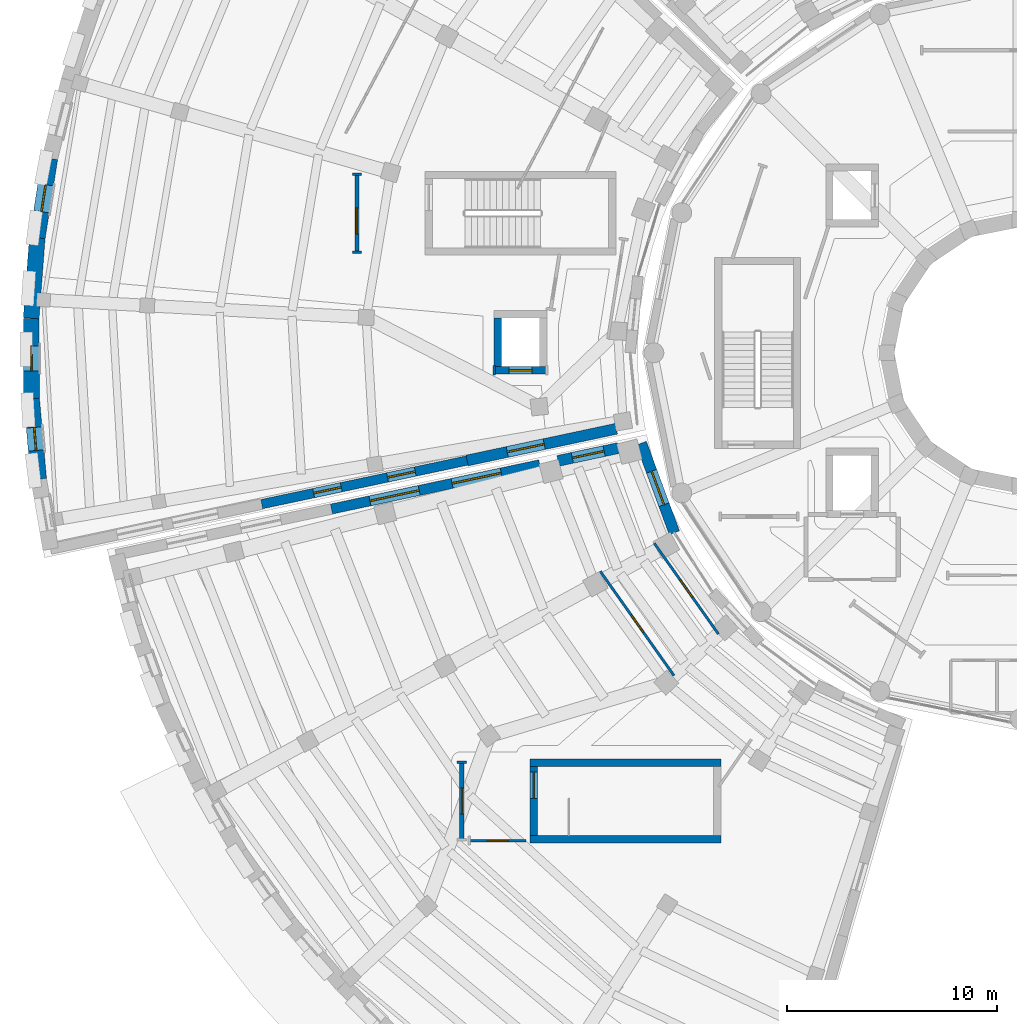
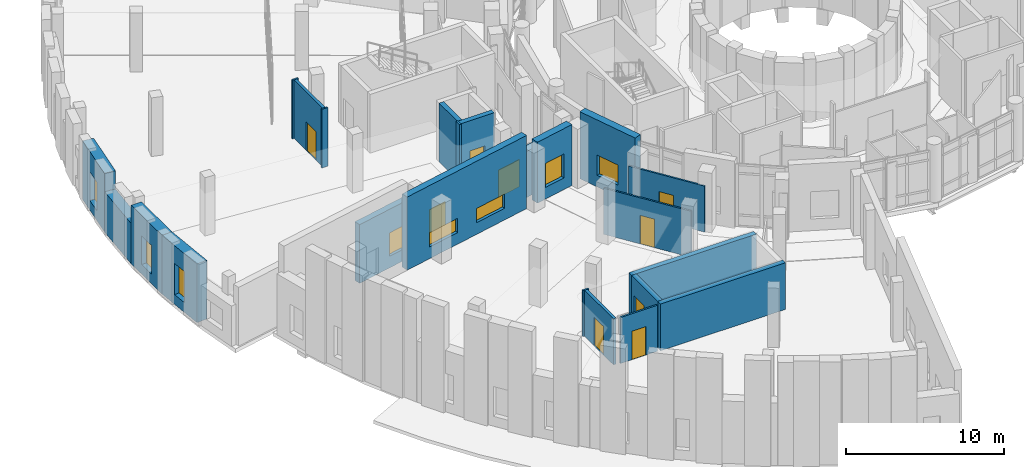
# One storey, part 61 of 89: 23 walls, 10 windows, 7 doors, 17 openings.
"""IFC4 building model written with IfcOpenShell, lengths in metres."""

from ifc_helpers import new_model, si_unit, direction, frame, frame_2d, origin, place, context, subcontext, project, spatial, rectangle, extrude, material, layer, layer_set, type_object, element, fill, save


model = new_model("IFC4")

# Units and contexts
model_context = context("Model", 3, precision=1e-05, world=origin(), true_north=direction((0.0, 1.0)))
body_context = subcontext(model_context, "Body", "Model", "MODEL_VIEW")
ifc_project = project(units=[si_unit("LENGTHUNIT", "METRE"), si_unit("AREAUNIT", "SQUARE_METRE"), si_unit("VOLUMEUNIT", "CUBIC_METRE"), si_unit("PLANEANGLEUNIT", "RADIAN"), si_unit("MASSUNIT", "GRAM", prefix="KILO")], contexts=[model_context])

# Site, building, storey
site_placement = place(None, origin())
site = spatial("IfcSite", under=ifc_project, at=site_placement, CompositionType="ELEMENT")
building_placement = place(site_placement, origin())
building = spatial("IfcBuilding", under=site, at=building_placement, Name="Soyqirgoq Riverine Aquarium", CompositionType="ELEMENT")
storey_placement = place(building_placement, frame((0.0, 0.0, 5.39990234375)))
storey = spatial("IfcBuildingStorey", under=building, at=storey_placement, Name="L02", CompositionType="ELEMENT", Elevation=5.39990234375)

# Walls
ifc_material_1 = material(Name="Concrete C40/50", Category="concrete")
ifc_layer_1 = layer(ifc_material_1, 0.35009765625)
ifc_layer_set_1 = layer_set([ifc_layer_1], Name="Concrete C40/50")
wall_type_1 = type_object("IfcWallType", Name="CoreShearWall_350_C40", PredefinedType="SHEAR", material=ifc_layer_set_1)
for number, where, z_axis, x_axis, name in (
    (1, (32.64990234375, 33.824951171875, 0.0), (0.0, 0.0, 1.0), (1.0, 0.0, 0.0), "CORE-2 L02 Stair Core Shear Wall SIDE1"),
    (2, (41.75, 37.47509765625, 0.0), (0.0, 0.0, 1.0), (-1.0, 0.0, 0.0), "CORE-2 L02 Stair Core Shear Wall SIDE2"),
):
    element("IfcWall", number, at=place(storey_placement, frame(where, z_axis=z_axis, x_axis=x_axis)), inside=storey, type_object=wall_type_1, Name=name, PredefinedType="SHEAR", context=body_context, shape_type="SweptSolid", body=[
        extrude(rectangle(XDim=9.10009765625, YDim=0.35009765625, at=frame_2d((4.550048828125, 0.0))), origin(), (0.0, 0.0, 1.0), 3.60009765625),
    ])

# Wall, opening, door
wall_1_placement = place(storey_placement, frame((32.824951171875, 37.300048828125, 0.0), z_axis=(0.0, 0.0, 1.0), x_axis=(0.0, -1.0, 0.0)))
wall_1 = element("IfcWall", 3, at=wall_1_placement, inside=storey, type_object=wall_type_1, Name="CORE-2 L02 Stair Core Shear Wall FRONT", PredefinedType="SHEAR", context=body_context, shape_type="SweptSolid", body=[
    extrude(rectangle(XDim=3.300048828125, YDim=0.35009765625, at=frame_2d((1.64990234375, 0.0))), origin(), (0.0, 0.0, 1.0), 3.60009765625),
])
opening_1_placement = place(wall_1_placement, frame((0.280029296875, 0.0, 0.0)))
opening_1 = element("IfcOpeningElement", 4, at=opening_1_placement, cuts=wall_1, Name="Opening FD-01", PredefinedType="OPENING", context=body_context, shape_type="SweptSolid", body=[
    extrude(rectangle(XDim=1.25, YDim=2.199951171875, at=frame_2d((0.625, 1.10009765625))), frame((0.0, 0.18505859375, 0.0), z_axis=(0.0, -1.0, 0.0), x_axis=(1.0, 0.0, 0.0)), (0.0, 0.0, 1.0), 0.3701171875),
])
ifc_material_2 = material(Name="Galvanised steel fire-resisting stair door", Category="steel")
door_type_1 = type_object("IfcDoorType", Name="StairFireDoor_1250x2200_EI90", OperationType="NOTDEFINED", PredefinedType="DOOR", material=ifc_material_2)
door_1_placement = place(opening_1_placement, origin())
door_1 = element("IfcDoor", 5, at=door_1_placement, inside=storey, type_object=door_type_1, Name="DR-ST-2-L02 ST-2 L02 Fire-Rated Stairwell Door", OperationType="SINGLE_SWING_LEFT", OverallHeight=2.199951171875, OverallWidth=1.25, PredefinedType="DOOR", context=body_context, shape_type="SweptSolid", body=[
    extrude(rectangle(XDim=1.25, YDim=2.199951171875, at=frame_2d((0.625, 1.10009765625))), frame((0.0, 0.02490234375, 0.0), z_axis=(0.0, -1.0, 0.0), x_axis=(1.0, 0.0, 0.0)), (0.0, 0.0, 1.0), 0.050048828125),
])
fill(opening_1, door_1)

wall_2_placement = place(storey_placement, frame((30.945068359375, 56.169921875, 0.0), z_axis=(0.0, 0.0, 1.0), x_axis=(1.0, 0.0, 0.0)))
wall_2 = element("IfcWall", 6, at=wall_2_placement, inside=storey, type_object=wall_type_1, Name="Lift PL-2 Shaft Wall L02 1", PredefinedType="SHEAR", context=body_context, shape_type="SweptSolid", body=[
    extrude(rectangle(XDim=2.510009765625, YDim=0.35009765625, at=frame_2d((1.2548828125, 0.0))), origin(), (0.0, 0.0, 1.0), 4.52001953125),
])
opening_2_placement = place(wall_2_placement, frame((0.705078125, 0.0, 0.0)))
opening_2 = element("IfcOpeningElement", 7, at=opening_2_placement, cuts=wall_2, Name="Opening LD-01", PredefinedType="OPENING", context=body_context, shape_type="SweptSolid", body=[
    extrude(rectangle(XDim=1.10009765625, YDim=2.199951171875, at=frame_2d((0.550048828125, 1.10009765625))), frame((0.0, 0.18505859375, 0.0), z_axis=(0.0, -1.0, 0.0), x_axis=(1.0, 0.0, 0.0)), (0.0, 0.0, 1.0), 0.3701171875),
])
ifc_material_3 = material(Name="Brushed stainless steel telescopic lift landing door", Category="steel")
door_type_2 = type_object("IfcDoorType", Name="LiftLandingDoor_1100x2200", OperationType="SLIDING_TO_LEFT", PredefinedType="DOOR", material=ifc_material_3)
door_2_placement = place(opening_2_placement, origin())
door_2 = element("IfcDoor", 8, at=door_2_placement, inside=storey, type_object=door_type_2, Name="LD-PL-2-L02 Lift PL-2 L02 Sliding Landing Door", OperationType="SLIDING_TO_LEFT", OverallHeight=2.199951171875, OverallWidth=1.10009765625, PredefinedType="DOOR", context=body_context, shape_type="SweptSolid", body=[
    extrude(rectangle(XDim=1.10009765625, YDim=2.199951171875, at=frame_2d((0.550048828125, 1.10009765625))), frame((0.0, 0.02490234375, 0.0), z_axis=(0.0, -1.0, 0.0), x_axis=(1.0, 0.0, 0.0)), (0.0, 0.0, 1.0), 0.050048828125),
])
fill(opening_2, door_2)

# Wall
wall_3_placement = place(storey_placement, frame((31.1201171875, 58.655029296875, 0.0), z_axis=(0.0, 0.0, 1.0), x_axis=(0.0, -1.0, 0.0)))
element("IfcWall", 9, at=wall_3_placement, inside=storey, type_object=wall_type_1, Name="Lift PL-2 Shaft Wall L02 4", PredefinedType="SHEAR", context=body_context, shape_type="SweptSolid", body=[
    extrude(rectangle(XDim=2.31005859375, YDim=0.35009765625, at=frame_2d((1.155029296875, 0.0))), origin(), (0.0, 0.0, 1.0), 4.52001953125),
])

# Wall, opening, door
ifc_material_4 = material(Name="Lightweight steel-stud gypsum partition", Category="steel")
ifc_layer_2 = layer(ifc_material_4, 0.1201171875)
ifc_layer_set_2 = layer_set([ifc_layer_2], Name="Lightweight steel-stud gypsum partition")
wall_type_2 = type_object("IfcWallType", Name="PartitionWall_120_Std", PredefinedType="PARTITIONING", material=ifc_layer_set_2)
wall_4_placement = place(storey_placement, frame((35.997802734375, 46.587646484375, 0.0), z_axis=(0.0, 0.0, 1.0), x_axis=(0.577152747175, -0.816636214253, 0.0)))
wall_4 = element("IfcWall", 10, at=wall_4_placement, inside=storey, type_object=wall_type_2, Name="V2 Gallery Circulation Corridor Partition Wall", PredefinedType="PARTITIONING", context=body_context, shape_type="SweptSolid", body=[
    extrude(rectangle(XDim=6.08203125, YDim=0.1201171875, at=frame_2d((3.041015625, 0.0))), origin(), (0.0, 0.0, 1.0), 3.550048828125),
])
opening_3_placement = place(wall_4_placement, frame((2.541015625, 0.0, 0.0)))
opening_3 = element("IfcOpeningElement", 11, at=opening_3_placement, cuts=wall_4, Name="Opening ID-03", PredefinedType="OPENING", context=body_context, shape_type="SweptSolid", body=[
    extrude(rectangle(XDim=1.0, YDim=2.199951171875, at=frame_2d((0.5, 1.10009765625))), frame((0.0, 0.070068359375, 0.0), z_axis=(0.0, -1.0, 0.0), x_axis=(1.0, 0.0, 0.0)), (0.0, 0.0, 1.0), 0.14013671875),
])
ifc_material_5 = material(Name="Solid-core ash veneer room door", Category="wood")
door_type_3 = type_object("IfcDoorType", Name="RoomDoor_1000x2200", OperationType="NOTDEFINED", PredefinedType="DOOR", material=ifc_material_5)
door_3_placement = place(opening_3_placement, origin())
door_3 = element("IfcDoor", 12, at=door_3_placement, inside=storey, type_object=door_type_3, Name="IDR-V2-L02-0085 V2 Gallery Circulation Corridor Door", OperationType="SINGLE_SWING_RIGHT", OverallHeight=2.199951171875, OverallWidth=1.0, PredefinedType="DOOR", context=body_context, shape_type="SweptSolid", body=[
    extrude(rectangle(XDim=1.0, YDim=2.199951171875, at=frame_2d((0.5, 1.10009765625))), frame((0.0, 0.02490234375, 0.0), z_axis=(0.0, -1.0, 0.0), x_axis=(1.0, 0.0, 0.0)), (0.0, 0.0, 1.0), 0.050048828125),
])
fill(opening_3, door_3)

wall_5_placement = place(storey_placement, frame((41.62890625, 43.5986328125, 0.0), z_axis=(0.0, 0.0, 1.0), x_axis=(-0.577138892994, 0.816646005436, 0.0)))
wall_5 = element("IfcWall", 13, at=wall_5_placement, inside=storey, type_object=wall_type_2, Name="V2 Gallery Circulation Corridor Partition Wall", PredefinedType="PARTITIONING", context=body_context, shape_type="SweptSolid", body=[
    extrude(rectangle(XDim=5.299560546875, YDim=0.1201171875, at=frame_2d((2.64990234375, 0.0))), origin(), (0.0, 0.0, 1.0), 3.550048828125),
])
opening_4_placement = place(wall_5_placement, frame((2.14990234375, 0.0, 0.0)))
opening_4 = element("IfcOpeningElement", 14, at=opening_4_placement, cuts=wall_5, Name="Opening ID-03", PredefinedType="OPENING", context=body_context, shape_type="SweptSolid", body=[
    extrude(rectangle(XDim=1.0, YDim=2.199951171875, at=frame_2d((0.5, 1.10009765625))), frame((0.0, 0.070068359375, 0.0), z_axis=(0.0, -1.0, 0.0), x_axis=(1.0, 0.0, 0.0)), (0.0, 0.0, 1.0), 0.14013671875),
])
door_4_placement = place(opening_4_placement, origin())
door_4 = element("IfcDoor", 15, at=door_4_placement, inside=storey, type_object=door_type_3, Name="IDR-V2-L02-0086 Mountain Stream Exhibit Room Door", OperationType="SINGLE_SWING_LEFT", OverallHeight=2.199951171875, OverallWidth=1.0, PredefinedType="DOOR", context=body_context, shape_type="SweptSolid", body=[
    extrude(rectangle(XDim=1.0, YDim=2.199951171875, at=frame_2d((0.5, 1.10009765625))), frame((0.0, 0.02490234375, 0.0), z_axis=(0.0, -1.0, 0.0), x_axis=(1.0, 0.0, 0.0)), (0.0, 0.0, 1.0), 0.050048828125),
])
fill(opening_4, door_4)

wall_6_placement = place(storey_placement, frame((32.449951171875, 33.760009765625, 0.0), z_axis=(0.0, 0.0, 1.0), x_axis=(-1.0, 0.0, 0.0)))
wall_6 = element("IfcWall", 16, at=wall_6_placement, inside=storey, type_object=wall_type_2, Name="Visitor Lounge Overlook Partition Wall", PredefinedType="PARTITIONING", context=body_context, shape_type="SweptSolid", body=[
    extrude(rectangle(XDim=2.689453125, YDim=0.1201171875, at=frame_2d((1.3447265625, 0.0))), origin(), (0.0, 0.0, 1.0), 3.550048828125),
])
opening_5_placement = place(wall_6_placement, frame((0.8447265625, 0.0, 0.0)))
opening_5 = element("IfcOpeningElement", 17, at=opening_5_placement, cuts=wall_6, Name="Opening ID-03", PredefinedType="OPENING", context=body_context, shape_type="SweptSolid", body=[
    extrude(rectangle(XDim=1.0, YDim=2.199951171875, at=frame_2d((0.5, 1.10009765625))), frame((0.0, 0.070068359375, 0.0), z_axis=(0.0, -1.0, 0.0), x_axis=(1.0, 0.0, 0.0)), (0.0, 0.0, 1.0), 0.14013671875),
])
door_5_placement = place(opening_5_placement, origin())
door_5 = element("IfcDoor", 18, at=door_5_placement, inside=storey, type_object=door_type_3, Name="IDR-V2-L02-0087 Visitor Lounge Overlook Door", OperationType="SINGLE_SWING_RIGHT", OverallHeight=2.199951171875, OverallWidth=1.0, PredefinedType="DOOR", context=body_context, shape_type="SweptSolid", body=[
    extrude(rectangle(XDim=1.0, YDim=2.199951171875, at=frame_2d((0.5, 1.10009765625))), frame((0.0, 0.02490234375, 0.0), z_axis=(0.0, -1.0, 0.0), x_axis=(1.0, 0.0, 0.0)), (0.0, 0.0, 1.0), 0.050048828125),
])
fill(opening_5, door_5)

# Walls
wall_7_placement = place(storey_placement, frame((29.179931640625, 37.5, 0.0), z_axis=(0.0, 0.0, 1.0), x_axis=(1.0, 0.0, 0.0)))
element("IfcWall", 19, at=wall_7_placement, inside=storey, type_object=wall_type_2, Name="V2 L02 Jamb Return Pier", PredefinedType="PARTITIONING", context=body_context, shape_type="SweptSolid", body=[
    extrude(rectangle(XDim=0.440185546875, YDim=0.1201171875, at=frame_2d((0.22021484375, 0.0))), origin(), (0.0, 0.0, 1.0), 3.550048828125),
])
wall_8_placement = place(storey_placement, frame((30.945068359375, 55.949951171875, 0.0), z_axis=(0.0, 0.0, 1.0), x_axis=(0.0, 1.0, 0.0)))
element("IfcWall", 20, at=wall_8_placement, inside=storey, type_object=wall_type_2, Name="V3 L02 Jamb Return Pier", PredefinedType="PARTITIONING", context=body_context, shape_type="SweptSolid", body=[
    extrude(rectangle(XDim=0.43994140625, YDim=0.1201171875, at=frame_2d((0.219970703125, 0.0))), origin(), (0.0, 0.0, 1.0), 4.52001953125),
])
for number, where, z_axis, x_axis, name in (
    (21, (24.179931640625, 65.5, 0.0), (0.0, 0.0, 1.0), (1.0, 0.0, 0.0), "V3 L02 Jamb Return Pier"),
    (22, (24.179931640625, 61.800048828125, 0.0), (0.0, 0.0, 1.0), (1.0, 0.0, 0.0), "V3 L02 Jamb Return Pier"),
):
    element("IfcWall", number, at=place(storey_placement, frame(where, z_axis=z_axis, x_axis=x_axis)), inside=storey, type_object=wall_type_2, Name=name, PredefinedType="PARTITIONING", context=body_context, shape_type="SweptSolid", body=[
        extrude(rectangle(XDim=0.440185546875, YDim=0.1201171875, at=frame_2d((0.22021484375, 0.0))), origin(), (0.0, 0.0, 1.0), 4.52001953125),
    ])

# Wall, opening, door
ifc_material_6 = material(Name="Fire-rated calcium silicate twin-stud partition", Category="gypsum")
ifc_layer_3 = layer(ifc_material_6, 0.199951171875)
ifc_layer_set_3 = layer_set([ifc_layer_3], Name="Fire-rated calcium silicate twin-stud partition")
wall_type_3 = type_object("IfcWallType", Name="PartitionWall_200_EI90", PredefinedType="PARTITIONING", material=ifc_layer_set_3)
wall_9_placement = place(storey_placement, frame((29.39990234375, 37.5, 0.0), z_axis=(0.0, 0.0, 1.0), x_axis=(0.0, -1.0, 0.0)))
wall_9 = element("IfcWall", 23, at=wall_9_placement, inside=storey, type_object=wall_type_3, Name="Lift and Stair Lobby ST-2 Fire Enclosure Wall", PredefinedType="PARTITIONING", context=body_context, shape_type="SweptSolid", body=[
    extrude(rectangle(XDim=3.699951171875, YDim=0.199951171875, at=frame_2d((1.85009765625, 0.0))), origin(), (0.0, 0.0, 1.0), 3.550048828125),
])
opening_6_placement = place(wall_9_placement, frame((1.22509765625, 0.0, 0.0)))
opening_6 = element("IfcOpeningElement", 24, at=opening_6_placement, cuts=wall_9, Name="Opening FD-01", PredefinedType="OPENING", context=body_context, shape_type="SweptSolid", body=[
    extrude(rectangle(XDim=1.25, YDim=2.199951171875, at=frame_2d((0.625, 1.10009765625))), frame((0.0, 0.10986328125, 0.0), z_axis=(0.0, -1.0, 0.0), x_axis=(1.0, 0.0, 0.0)), (0.0, 0.0, 1.0), 0.219970703125),
])
door_6_placement = place(opening_6_placement, origin())
door_6 = element("IfcDoor", 25, at=door_6_placement, inside=storey, type_object=door_type_1, Name="IDR-V2-L02-0084 Lift and Stair Lobby ST-2 Egress Fire Door", OperationType="SINGLE_SWING_LEFT", OverallHeight=2.199951171875, OverallWidth=1.25, PredefinedType="DOOR", context=body_context, shape_type="SweptSolid", body=[
    extrude(rectangle(XDim=1.25, YDim=2.199951171875, at=frame_2d((0.625, 1.10009765625))), frame((0.0, 0.02490234375, 0.0), z_axis=(0.0, -1.0, 0.0), x_axis=(1.0, 0.0, 0.0)), (0.0, 0.0, 1.0), 0.050048828125),
])
fill(opening_6, door_6)

wall_10_placement = place(storey_placement, frame((24.39990234375, 65.5, 0.0), z_axis=(0.0, 0.0, 1.0), x_axis=(0.0, -1.0, 0.0)))
wall_10 = element("IfcWall", 26, at=wall_10_placement, inside=storey, type_object=wall_type_3, Name="Lift and Stair Lobby ST-3 Fire Enclosure Wall", PredefinedType="PARTITIONING", context=body_context, shape_type="SweptSolid", body=[
    extrude(rectangle(XDim=3.699951171875, YDim=0.199951171875, at=frame_2d((1.85009765625, 0.0))), origin(), (0.0, 0.0, 1.0), 4.52001953125),
])
opening_7_placement = place(wall_10_placement, frame((1.592529296875, 0.0, 0.0)))
opening_7 = element("IfcOpeningElement", 27, at=opening_7_placement, cuts=wall_10, Name="Opening FD-01", PredefinedType="OPENING", context=body_context, shape_type="SweptSolid", body=[
    extrude(rectangle(XDim=1.25, YDim=2.199951171875, at=frame_2d((0.625, 1.10009765625))), frame((0.0, 0.10986328125, 0.0), z_axis=(0.0, -1.0, 0.0), x_axis=(1.0, 0.0, 0.0)), (0.0, 0.0, 1.0), 0.219970703125),
])
door_7_placement = place(opening_7_placement, origin())
door_7 = element("IfcDoor", 28, at=door_7_placement, inside=storey, type_object=door_type_1, Name="IDR-V3-L02-0095 Lift and Stair Lobby ST-3 Egress Fire Door", OperationType="SINGLE_SWING_LEFT", OverallHeight=2.199951171875, OverallWidth=1.25, PredefinedType="DOOR", context=body_context, shape_type="SweptSolid", body=[
    extrude(rectangle(XDim=1.25, YDim=2.199951171875, at=frame_2d((0.625, 1.10009765625))), frame((0.0, 0.02490234375, 0.0), z_axis=(0.0, -1.0, 0.0), x_axis=(1.0, 0.0, 0.0)), (0.0, 0.0, 1.0), 0.050048828125),
])
fill(opening_7, door_7)

# Wall, openings, windows
ifc_material_7 = material(Name="Honed travertine limestone cavity wall", Category="masonry")
ifc_layer_4 = layer(ifc_material_7, 0.449951171875)
ifc_layer_set_4 = layer_set([ifc_layer_4], Name="Honed travertine limestone cavity wall")
wall_type_4 = type_object("IfcWallType", Name="TravertineCavityWall_450", PredefinedType="SOLIDWALL", material=ifc_layer_set_4)
wall_11_placement = place(storey_placement, frame((29.6513671875, 51.86962890625, 0.0), z_axis=(0.0, 0.0, 1.0), x_axis=(-0.978149669378, -0.207901958373, 0.0)))
wall_11 = element("IfcWall", 29, at=wall_11_placement, inside=storey, type_object=wall_type_4, Name="V3 L02 Exterior Travertine Wall 0120", PredefinedType="SOLIDWALL", context=body_context, shape_type="SweptSolid", body=[
    extrude(rectangle(XDim=10.002685546875, YDim=0.449951171875, at=frame_2d((5.00146484375, 0.0))), origin(), (0.0, 0.0, 1.0), 4.52001953125),
])
opening_8_placement = place(wall_11_placement, frame((2.5263671875, 0.0, 0.89990234375)))
opening_8 = element("IfcOpeningElement", 30, at=opening_8_placement, cuts=wall_11, Name="Opening WN-08", PredefinedType="OPENING", context=body_context, shape_type="SweptSolid", body=[
    extrude(rectangle(XDim=1.35009765625, YDim=1.800048828125, at=frame_2d((0.675048828125, 0.89990234375))), frame((0.0, 0.23486328125, 0.0), z_axis=(0.0, -1.0, 0.0), x_axis=(1.0, 0.0, 0.0)), (0.0, 0.0, 1.0), 0.469970703125),
])
opening_9_placement = place(wall_11_placement, frame((6.12646484375, 0.0, 0.89990234375)))
opening_9 = element("IfcOpeningElement", 31, at=opening_9_placement, cuts=wall_11, Name="Opening WN-08", PredefinedType="OPENING", context=body_context, shape_type="SweptSolid", body=[
    extrude(rectangle(XDim=1.35009765625, YDim=1.800048828125, at=frame_2d((0.675048828125, 0.89990234375))), frame((0.0, 0.23486328125, 0.0), z_axis=(0.0, -1.0, 0.0), x_axis=(1.0, 0.0, 0.0)), (0.0, 0.0, 1.0), 0.469970703125),
])
ifc_material_8 = material(Name="Thermally broken aluminium triple low-E window", Category="aluminium")
window_type_1 = type_object("IfcWindowType", Name="Win_Office_1350x1800", PartitioningType="DOUBLE_PANEL_VERTICAL", PredefinedType="WINDOW", material=ifc_material_8)
window_1_placement = place(opening_8_placement, origin())
window_1 = element("IfcWindow", 32, at=window_1_placement, inside=storey, type_object=window_type_1, Name="V3 L02 Facade Window 0077", OverallHeight=1.800048828125, OverallWidth=1.35009765625, PartitioningType="DOUBLE_PANEL_VERTICAL", PredefinedType="WINDOW", context=body_context, shape_type="SweptSolid", body=[
    extrude(rectangle(XDim=1.35009765625, YDim=1.800048828125, at=frame_2d((0.675048828125, 0.89990234375))), frame((0.0, 0.030029296875, 0.0), z_axis=(0.0, -1.0, 0.0), x_axis=(1.0, 0.0, 0.0)), (0.0, 0.0, 1.0), 0.06005859375),
])
fill(opening_8, window_1)
window_2_placement = place(opening_9_placement, origin())
window_2 = element("IfcWindow", 33, at=window_2_placement, inside=storey, type_object=window_type_1, Name="V3 L02 Facade Window 0078", OverallHeight=1.800048828125, OverallWidth=1.35009765625, PartitioningType="DOUBLE_PANEL_VERTICAL", PredefinedType="WINDOW", context=body_context, shape_type="SweptSolid", body=[
    extrude(rectangle(XDim=1.35009765625, YDim=1.800048828125, at=frame_2d((0.675048828125, 0.89990234375))), frame((0.0, 0.030029296875, 0.0), z_axis=(0.0, -1.0, 0.0), x_axis=(1.0, 0.0, 0.0)), (0.0, 0.0, 1.0), 0.06005859375),
])
fill(opening_9, window_2)

ifc_material_9 = material(Name="Honed travertine limestone cavity wall", Category="masonry")
ifc_layer_5 = layer(ifc_material_9, 0.47998046875)
ifc_layer_set_5 = layer_set([ifc_layer_5], Name="Honed travertine limestone cavity wall")
wall_type_5 = type_object("IfcWallType", Name="TravertineCavityWall_480", PredefinedType="SOLIDWALL", material=ifc_layer_set_5)
wall_12_placement = place(storey_placement, frame((23.189453125, 49.5556640625, 0.0), z_axis=(0.0, 0.0, 1.0), x_axis=(0.978147903631, 0.207910265793, 0.0)))
wall_12 = element("IfcWall", 34, at=wall_12_placement, inside=storey, type_object=wall_type_5, Name="V2 L02 Exterior Travertine Wall 0091", PredefinedType="SOLIDWALL", context=body_context, shape_type="SweptSolid", body=[
    extrude(rectangle(XDim=10.146728515625, YDim=0.47998046875, at=frame_2d((5.0732421875, 0.0))), origin(), (0.0, 0.0, 1.0), 5.6376953125),
])
opening_10_placement = place(wall_12_placement, frame((1.873291015625, 0.0, 0.89990234375)))
opening_10 = element("IfcOpeningElement", 35, at=opening_10_placement, cuts=wall_12, Name="Opening WN-10", PredefinedType="OPENING", context=body_context, shape_type="SweptSolid", body=[
    extrude(rectangle(XDim=2.39990234375, YDim=1.10009765625, at=frame_2d((1.199951171875, 0.550048828125))), frame((0.0, 0.25, 0.0), z_axis=(0.0, -1.0, 0.0), x_axis=(1.0, 0.0, 0.0)), (0.0, 0.0, 1.0), 0.5),
])
opening_11_placement = place(wall_12_placement, frame((5.873291015625, 0.0, 0.89990234375)))
opening_11 = element("IfcOpeningElement", 36, at=opening_11_placement, cuts=wall_12, Name="Opening WN-10", PredefinedType="OPENING", context=body_context, shape_type="SweptSolid", body=[
    extrude(rectangle(XDim=2.39990234375, YDim=1.10009765625, at=frame_2d((1.199951171875, 0.550048828125))), frame((0.0, 0.25, 0.0), z_axis=(0.0, -1.0, 0.0), x_axis=(1.0, 0.0, 0.0)), (0.0, 0.0, 1.0), 0.5),
])
ifc_material_10 = material(Name="Thermally broken aluminium triple low-E window", Category="aluminium")
window_type_2 = type_object("IfcWindowType", Name="Win_Clerestory_2400x1100", PartitioningType="DOUBLE_PANEL_HORIZONTAL", PredefinedType="LIGHTDOME", material=ifc_material_10)
window_3_placement = place(opening_10_placement, origin())
window_3 = element("IfcWindow", 37, at=window_3_placement, inside=storey, type_object=window_type_2, Name="V2 L02 Facade Window 0056", OverallHeight=1.10009765625, OverallWidth=2.39990234375, PartitioningType="DOUBLE_PANEL_HORIZONTAL", PredefinedType="LIGHTDOME", context=body_context, shape_type="SweptSolid", body=[
    extrude(rectangle(XDim=2.39990234375, YDim=1.10009765625, at=frame_2d((1.199951171875, 0.550048828125))), frame((0.0, 0.030029296875, 0.0), z_axis=(0.0, -1.0, 0.0), x_axis=(1.0, 0.0, 0.0)), (0.0, 0.0, 1.0), 0.06005859375),
])
fill(opening_10, window_3)
window_4_placement = place(opening_11_placement, origin())
window_4 = element("IfcWindow", 38, at=window_4_placement, inside=storey, type_object=window_type_2, Name="V2 L02 Facade Window 0057", OverallHeight=1.10009765625, OverallWidth=2.39990234375, PartitioningType="DOUBLE_PANEL_HORIZONTAL", PredefinedType="LIGHTDOME", context=body_context, shape_type="SweptSolid", body=[
    extrude(rectangle(XDim=2.39990234375, YDim=1.10009765625, at=frame_2d((1.199951171875, 0.550048828125))), frame((0.0, 0.030029296875, 0.0), z_axis=(0.0, -1.0, 0.0), x_axis=(1.0, 0.0, 0.0)), (0.0, 0.0, 1.0), 0.06005859375),
])
fill(opening_11, window_4)

# Wall, opening, window
ifc_material_11 = material(Name="Honed travertine limestone cavity wall", Category="masonry")
ifc_layer_6 = layer(ifc_material_11, 0.52001953125)
ifc_layer_set_6 = layer_set([ifc_layer_6], Name="Honed travertine limestone cavity wall")
wall_type_6 = type_object("IfcWallType", Name="TravertineCavityWall_520", PredefinedType="SOLIDWALL", material=ifc_layer_set_6)
wall_13_placement = place(storey_placement, frame((37.951416015625, 52.693359375, 0.0), z_axis=(0.0, 0.0, 1.0), x_axis=(0.346456169042, -0.938066161277, 0.0)))
wall_13 = element("IfcWall", 39, at=wall_13_placement, inside=storey, type_object=wall_type_6, Name="V2 L02 Exterior Travertine Wall 0073", PredefinedType="SOLIDWALL", context=body_context, shape_type="SweptSolid", body=[
    extrude(rectangle(XDim=4.550048828125, YDim=0.52001953125, at=frame_2d((2.27490234375, 0.0))), origin(), (0.0, 0.0, 1.0), 5.16015625),
])
opening_12_placement = place(wall_13_placement, frame((1.425048828125, 0.0, 0.89990234375)))
opening_12 = element("IfcOpeningElement", 40, at=opening_12_placement, cuts=wall_13, Name="Opening WN-21", PredefinedType="OPENING", context=body_context, shape_type="SweptSolid", body=[
    extrude(rectangle(XDim=1.699951171875, YDim=1.550048828125, at=frame_2d((0.85009765625, 0.77490234375))), frame((0.0, 0.27001953125, 0.0), z_axis=(0.0, -1.0, 0.0), x_axis=(1.0, 0.0, 0.0)), (0.0, 0.0, 1.0), 0.5400390625),
])
ifc_material_12 = material(Name="Thermally broken aluminium triple low-E window", Category="aluminium")
window_type_3 = type_object("IfcWindowType", Name="Win_Lab_1700x1550", PartitioningType="DOUBLE_PANEL_VERTICAL", PredefinedType="WINDOW", material=ifc_material_12)
window_5_placement = place(opening_12_placement, origin())
window_5 = element("IfcWindow", 41, at=window_5_placement, inside=storey, type_object=window_type_3, Name="V2 L02 Facade Window 0035", OverallHeight=1.550048828125, OverallWidth=1.699951171875, PartitioningType="DOUBLE_PANEL_VERTICAL", PredefinedType="WINDOW", context=body_context, shape_type="SweptSolid", body=[
    extrude(rectangle(XDim=1.699951171875, YDim=1.550048828125, at=frame_2d((0.85009765625, 0.77490234375))), frame((0.0, 0.030029296875, 0.0), z_axis=(0.0, -1.0, 0.0), x_axis=(1.0, 0.0, 0.0)), (0.0, 0.0, 1.0), 0.06005859375),
])
fill(opening_12, window_5)

wall_14_placement = place(storey_placement, frame((33.985595703125, 51.850341796875, 0.0), z_axis=(0.0, 0.0, 1.0), x_axis=(0.9781332809, 0.207979048934, 0.0)))
wall_14 = element("IfcWall", 42, at=wall_14_placement, inside=storey, type_object=wall_type_6, Name="V2 L02 Exterior Travertine Wall 0092", PredefinedType="SOLIDWALL", context=body_context, shape_type="SweptSolid", body=[
    extrude(rectangle(XDim=2.93701171875, YDim=0.52001953125, at=frame_2d((1.468505859375, 0.0))), origin(), (0.0, 0.0, 1.0), 4.693359375),
])
opening_13_placement = place(wall_14_placement, frame((0.693603515625, 0.0, 0.89990234375)))
opening_13 = element("IfcOpeningElement", 43, at=opening_13_placement, cuts=wall_14, Name="Opening WN-18", PredefinedType="OPENING", context=body_context, shape_type="SweptSolid", body=[
    extrude(rectangle(XDim=1.550048828125, YDim=1.85009765625, at=frame_2d((0.77490234375, 0.925048828125))), frame((0.0, 0.27001953125, 0.0), z_axis=(0.0, -1.0, 0.0), x_axis=(1.0, 0.0, 0.0)), (0.0, 0.0, 1.0), 0.5400390625),
])
ifc_material_13 = material(Name="Thermally broken aluminium triple low-E window", Category="aluminium")
window_type_4 = type_object("IfcWindowType", Name="Win_Office_1550x1850", PartitioningType="DOUBLE_PANEL_VERTICAL", PredefinedType="WINDOW", material=ifc_material_13)
window_6_placement = place(opening_13_placement, origin())
window_6 = element("IfcWindow", 44, at=window_6_placement, inside=storey, type_object=window_type_4, Name="V2 L02 Facade Window 0058", OverallHeight=1.85009765625, OverallWidth=1.550048828125, PartitioningType="DOUBLE_PANEL_VERTICAL", PredefinedType="WINDOW", context=body_context, shape_type="SweptSolid", body=[
    extrude(rectangle(XDim=1.550048828125, YDim=1.85009765625, at=frame_2d((0.77490234375, 0.925048828125))), frame((0.0, 0.030029296875, 0.0), z_axis=(0.0, -1.0, 0.0), x_axis=(1.0, 0.0, 0.0)), (0.0, 0.0, 1.0), 0.06005859375),
])
fill(opening_13, window_6)

wall_15_placement = place(storey_placement, frame((36.76513671875, 53.3818359375, 0.0), z_axis=(0.0, 0.0, 1.0), x_axis=(-0.978144003429, -0.207928614086, 0.0)))
wall_15 = element("IfcWall", 45, at=wall_15_placement, inside=storey, type_object=wall_type_6, Name="V3 L02 Exterior Travertine Wall 0119", PredefinedType="SOLIDWALL", context=body_context, shape_type="SweptSolid", body=[
    extrude(rectangle(XDim=7.272705078125, YDim=0.52001953125, at=frame_2d((3.63623046875, 0.0))), origin(), (0.0, 0.0, 1.0), 3.56005859375),
])
opening_14_placement = place(wall_15_placement, frame((3.516357421875, 0.0, 0.89990234375)))
opening_14 = element("IfcOpeningElement", 46, at=opening_14_placement, cuts=wall_15, Name="Opening WN-05", PredefinedType="OPENING", context=body_context, shape_type="SweptSolid", body=[
    extrude(rectangle(XDim=1.800048828125, YDim=2.10009765625, at=frame_2d((0.89990234375, 1.050048828125))), frame((0.0, 0.27001953125, 0.0), z_axis=(0.0, -1.0, 0.0), x_axis=(1.0, 0.0, 0.0)), (0.0, 0.0, 1.0), 0.5400390625),
])
ifc_material_14 = material(Name="Thermally broken aluminium triple low-E window", Category="aluminium")
window_type_5 = type_object("IfcWindowType", Name="Win_Gallery_1800x2100", PartitioningType="DOUBLE_PANEL_VERTICAL", PredefinedType="WINDOW", material=ifc_material_14)
window_7_placement = place(opening_14_placement, origin())
window_7 = element("IfcWindow", 47, at=window_7_placement, inside=storey, type_object=window_type_5, Name="V3 L02 Facade Window 0076", OverallHeight=2.10009765625, OverallWidth=1.800048828125, PartitioningType="DOUBLE_PANEL_VERTICAL", PredefinedType="WINDOW", context=body_context, shape_type="SweptSolid", body=[
    extrude(rectangle(XDim=1.800048828125, YDim=2.10009765625, at=frame_2d((0.89990234375, 1.050048828125))), frame((0.0, 0.030029296875, 0.0), z_axis=(0.0, -1.0, 0.0), x_axis=(1.0, 0.0, 0.0)), (0.0, 0.0, 1.0), 0.06005859375),
])
fill(opening_14, window_7)

ifc_material_15 = material(Name="Honed travertine limestone cavity wall", Category="masonry")
ifc_layer_7 = layer(ifc_material_15, 0.75)
ifc_layer_set_7 = layer_set([ifc_layer_7], Name="Honed travertine limestone cavity wall")
wall_type_7 = type_object("IfcWallType", Name="TravertineNicheWall_750", PredefinedType="SOLIDWALL", material=ifc_layer_set_7)
wall_16_placement = place(storey_placement, frame((9.23583984375, 50.981689453125, 0.0), z_axis=(0.0, 0.0, 1.0), x_axis=(-0.087118042521, 0.996197995715, 0.0)))
wall_16 = element("IfcWall", 48, at=wall_16_placement, inside=storey, type_object=wall_type_7, Name="V3 L02 Exterior Travertine Wall 0123", PredefinedType="SOLIDWALL", context=body_context, shape_type="SweptSolid", body=[
    extrude(rectangle(XDim=3.83935546875, YDim=0.75, at=frame_2d((1.919677734375, 0.0))), origin(), (0.0, 0.0, 1.0), 4.52001953125),
])
opening_15_placement = place(wall_16_placement, frame((1.36962890625, 0.0, 0.75)))
opening_15 = element("IfcOpeningElement", 49, at=opening_15_placement, cuts=wall_16, Name="Opening WN-02", PredefinedType="OPENING", context=body_context, shape_type="SweptSolid", body=[
    extrude(rectangle(XDim=1.10009765625, YDim=2.39990234375, at=frame_2d((0.550048828125, 1.199951171875))), frame((0.0, 0.385009765625, 0.0), z_axis=(0.0, -1.0, 0.0), x_axis=(1.0, 0.0, 0.0)), (0.0, 0.0, 1.0), 0.77001953125),
])
ifc_material_16 = material(Name="Thermally broken aluminium triple low-E window", Category="aluminium")
window_type_6 = type_object("IfcWindowType", Name="Win_Niche_1100x2400", PartitioningType="SINGLE_PANEL", PredefinedType="WINDOW", material=ifc_material_16)
window_8_placement = place(opening_15_placement, origin())
window_8 = element("IfcWindow", 50, at=window_8_placement, inside=storey, type_object=window_type_6, Name="V3 L02 Facade Window 0082", OverallHeight=2.39990234375, OverallWidth=1.10009765625, PartitioningType="SINGLE_PANEL", PredefinedType="WINDOW", context=body_context, shape_type="SweptSolid", body=[
    extrude(rectangle(XDim=1.10009765625, YDim=2.39990234375, at=frame_2d((0.550048828125, 1.199951171875))), frame((0.0, 0.030029296875, 0.0), z_axis=(0.0, -1.0, 0.0), x_axis=(1.0, 0.0, 0.0)), (0.0, 0.0, 1.0), 0.06005859375),
])
fill(opening_15, window_8)

wall_17_placement = place(storey_placement, frame((8.9013671875, 54.806396484375, 0.0), z_axis=(0.0, 0.0, 1.0), x_axis=(-0.005850456312, 0.999982885934, 0.0)))
wall_17 = element("IfcWall", 51, at=wall_17_placement, inside=storey, type_object=wall_type_7, Name="V3 L02 Exterior Travertine Wall 0124", PredefinedType="SOLIDWALL", context=body_context, shape_type="SweptSolid", body=[
    extrude(rectangle(XDim=3.839111328125, YDim=0.75, at=frame_2d((1.91943359375, 0.0))), origin(), (0.0, 0.0, 1.0), 4.52001953125),
])
opening_16_placement = place(wall_17_placement, frame((1.319580078125, 0.0, 0.75)))
opening_16 = element("IfcOpeningElement", 52, at=opening_16_placement, cuts=wall_17, Name="Opening WN-03", PredefinedType="OPENING", context=body_context, shape_type="SweptSolid", body=[
    extrude(rectangle(XDim=1.199951171875, YDim=2.199951171875, at=frame_2d((0.60009765625, 1.10009765625))), frame((0.0, 0.385009765625, 0.0), z_axis=(0.0, -1.0, 0.0), x_axis=(1.0, 0.0, 0.0)), (0.0, 0.0, 1.0), 0.77001953125),
])
ifc_material_17 = material(Name="Thermally broken aluminium triple low-E window", Category="aluminium")
window_type_7 = type_object("IfcWindowType", Name="Win_Niche_1200x2200", PartitioningType="DOUBLE_PANEL_VERTICAL", PredefinedType="WINDOW", material=ifc_material_17)
window_9_placement = place(opening_16_placement, origin())
window_9 = element("IfcWindow", 53, at=window_9_placement, inside=storey, type_object=window_type_7, Name="V3 L02 Facade Window 0083", OverallHeight=2.199951171875, OverallWidth=1.199951171875, PartitioningType="DOUBLE_PANEL_VERTICAL", PredefinedType="WINDOW", context=body_context, shape_type="SweptSolid", body=[
    extrude(rectangle(XDim=1.199951171875, YDim=2.199951171875, at=frame_2d((0.60009765625, 1.10009765625))), frame((0.0, 0.030029296875, 0.0), z_axis=(0.0, -1.0, 0.0), x_axis=(1.0, 0.0, 0.0)), (0.0, 0.0, 1.0), 0.06005859375),
])
fill(opening_16, window_9)

# Wall
wall_18_placement = place(storey_placement, frame((8.87890625, 58.6455078125, 0.0), z_axis=(0.0, 0.0, 1.0), x_axis=(0.075612006837, 0.997137314728, 0.0)))
element("IfcWall", 54, at=wall_18_placement, inside=storey, type_object=wall_type_7, Name="V3 L02 Exterior Travertine Wall 0125", PredefinedType="SOLIDWALL", context=body_context, shape_type="SweptSolid", body=[
    extrude(rectangle(XDim=3.839111328125, YDim=0.75, at=frame_2d((1.91943359375, 0.0))), origin(), (0.0, 0.0, 1.0), 3.110107421875),
])

# Wall, opening, window
wall_19_placement = place(storey_placement, frame((9.169189453125, 62.4736328125, 0.0), z_axis=(0.0, 0.0, 1.0), x_axis=(0.156432782226, 0.987688607125, 0.0)))
wall_19 = element("IfcWall", 55, at=wall_19_placement, inside=storey, type_object=wall_type_7, Name="V3 L02 Exterior Travertine Wall 0126", PredefinedType="SOLIDWALL", context=body_context, shape_type="SweptSolid", body=[
    extrude(rectangle(XDim=3.83935546875, YDim=0.75, at=frame_2d((1.919677734375, 0.0))), origin(), (0.0, 0.0, 1.0), 4.52001953125),
])
opening_17_placement = place(wall_19_placement, frame((1.26953125, 0.0, 0.75)))
opening_17 = element("IfcOpeningElement", 56, at=opening_17_placement, cuts=wall_19, Name="Opening WN-12", PredefinedType="OPENING", context=body_context, shape_type="SweptSolid", body=[
    extrude(rectangle(XDim=1.300048828125, YDim=2.199951171875, at=frame_2d((0.64990234375, 1.10009765625))), frame((0.0, 0.385009765625, 0.0), z_axis=(0.0, -1.0, 0.0), x_axis=(1.0, 0.0, 0.0)), (0.0, 0.0, 1.0), 0.77001953125),
])
ifc_material_18 = material(Name="Thermally broken aluminium triple low-E window", Category="aluminium")
window_type_8 = type_object("IfcWindowType", Name="Win_Niche_1300x2200", PartitioningType="DOUBLE_PANEL_VERTICAL", PredefinedType="WINDOW", material=ifc_material_18)
window_10_placement = place(opening_17_placement, origin())
window_10 = element("IfcWindow", 57, at=window_10_placement, inside=storey, type_object=window_type_8, Name="V3 L02 Facade Window 0084", OverallHeight=2.199951171875, OverallWidth=1.300048828125, PartitioningType="DOUBLE_PANEL_VERTICAL", PredefinedType="WINDOW", context=body_context, shape_type="SweptSolid", body=[
    extrude(rectangle(XDim=1.300048828125, YDim=2.199951171875, at=frame_2d((0.64990234375, 1.10009765625))), frame((0.0, 0.030029296875, 0.0), z_axis=(0.0, -1.0, 0.0), x_axis=(1.0, 0.0, 0.0)), (0.0, 0.0, 1.0), 0.06005859375),
])
fill(opening_17, window_10)

save(model, "model.ifc")
